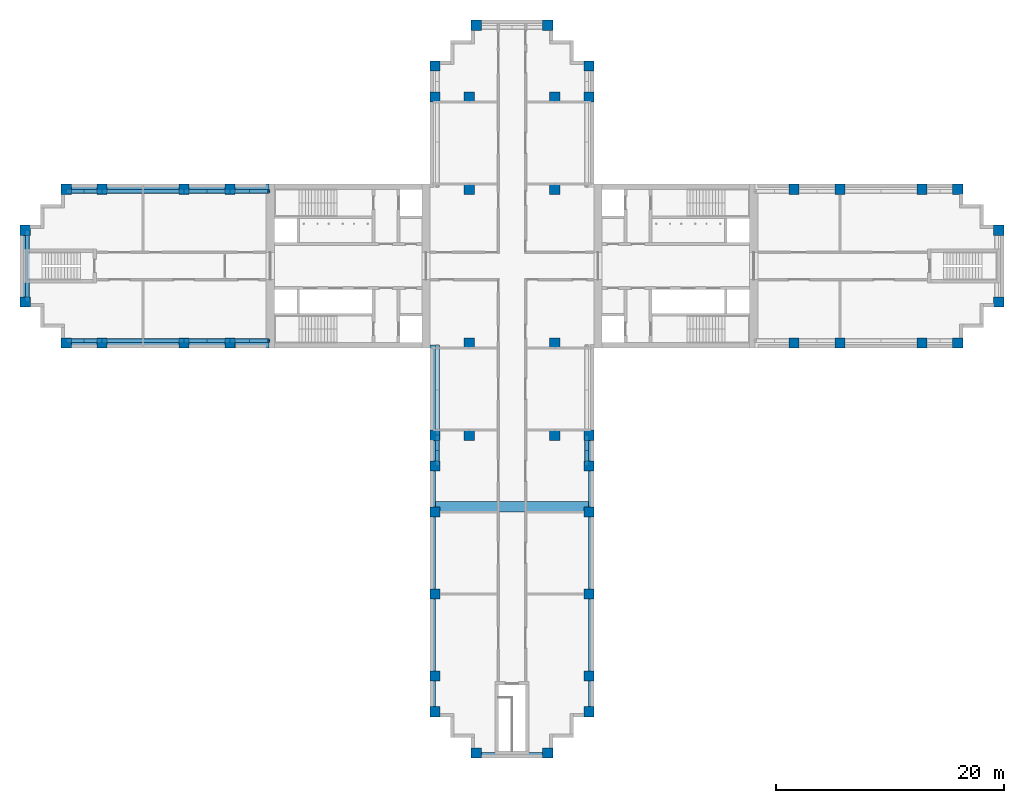
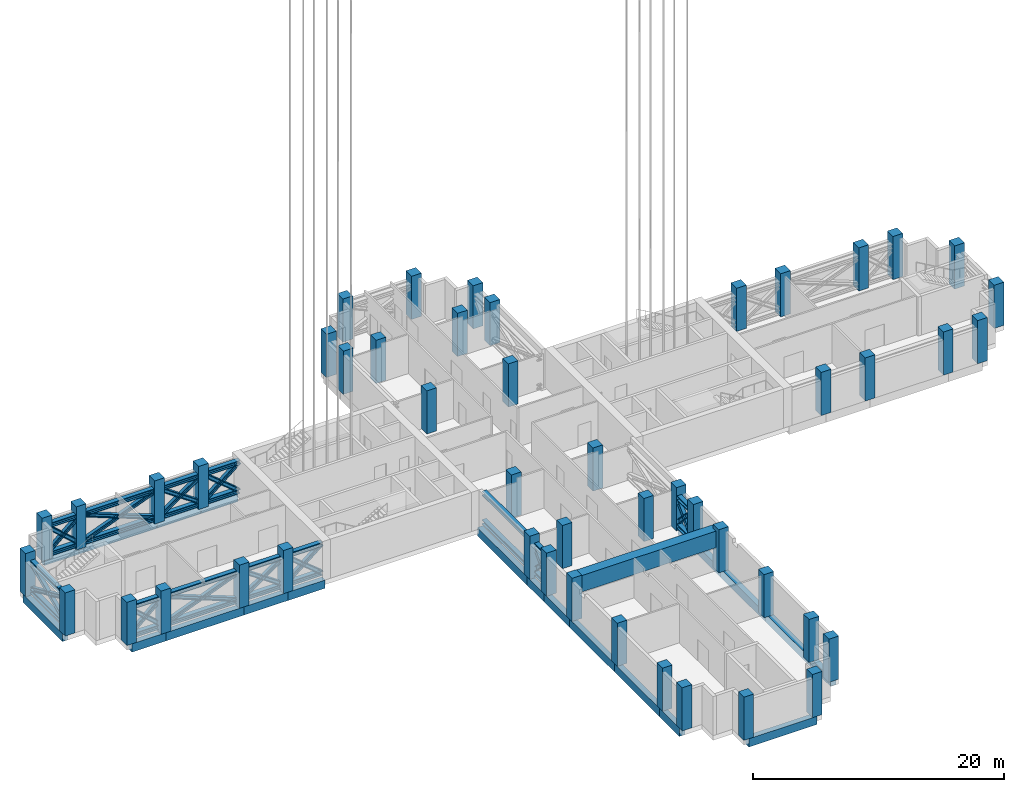
# One storey, part 1 of 22: 48 columns, 46 members, 22 beams.
"""IFC4 building model written with IfcOpenShell, lengths in metres."""

from ifc_helpers import new_model, si_unit, direction, frame, origin, origin_2d, place, context, subcontext, project, spatial, rectangle, i_section, extrude, material, material_profile, profile_set, type_object, element, save


model = new_model("IFC4")

# Units and contexts
model_context = context("Model", 3, precision=1e-05, world=origin(), true_north=direction((0.0, 1.0)))
body_context = subcontext(model_context, "Body", "Model", "MODEL_VIEW")
ifc_project = project(units=[si_unit("LENGTHUNIT", "METRE"), si_unit("AREAUNIT", "SQUARE_METRE"), si_unit("VOLUMEUNIT", "CUBIC_METRE"), si_unit("PLANEANGLEUNIT", "RADIAN"), si_unit("MASSUNIT", "GRAM", prefix="KILO")], contexts=[model_context])

# Site, building, storey
site_placement = place(None, origin())
site = spatial("IfcSite", under=ifc_project, at=site_placement, CompositionType="ELEMENT")
building_placement = place(site_placement, origin())
building = spatial("IfcBuilding", under=site, at=building_placement, Name="Fustian Cross Tower", CompositionType="ELEMENT")
storey_placement = place(building_placement, frame((0.0, 0.0, 111.89990234375)))
storey = spatial("IfcBuildingStorey", under=building, at=storey_placement, Name="L35", CompositionType="ELEMENT", Elevation=111.89990234375)

# Columns
ifc_material_1 = material(Name="Concrete C50/60", Category="concrete")
ifc_material_profile_1 = material_profile(ifc_material_1, rectangle(XDim=0.89990234375, YDim=0.89990234375, at=origin_2d()), Name="RC 900x900")
ifc_profile_set_1 = profile_set([ifc_material_profile_1], Name="Concrete C50/60")
column_type = type_object("IfcColumnType", Name="COLUMN RC 900x900 C50/60", PredefinedType="COLUMN", material=ifc_profile_set_1)
for number, where, z_axis, x_axis, name in (
    (1, (-42.75, -3.14990234375, 0.0), (0.0, 0.0, 1.0), (1.0, 0.0, 0.0), "COLUMN 001"),
    (2, (-42.75, 3.14990234375, 0.0), (0.0, 0.0, 1.0), (1.0, 0.0, 0.0), "COLUMN 002"),
    (3, (-39.14990234375, -6.75, 0.0), (0.0, 0.0, 1.0), (1.0, 0.0, 0.0), "COLUMN 003"),
    (4, (-39.14990234375, 6.75, 0.0), (0.0, 0.0, 1.0), (1.0, 0.0, 0.0), "COLUMN 004"),
    (5, (-36.0, -6.75, 0.0), (0.0, 0.0, 1.0), (1.0, 0.0, 0.0), "COLUMN 005"),
    (6, (-36.0, 6.75, 0.0), (0.0, 0.0, 1.0), (1.0, 0.0, 0.0), "COLUMN 006"),
    (7, (-28.800048828125, -6.75, 0.0), (0.0, 0.0, 1.0), (1.0, 0.0, 0.0), "COLUMN 007"),
    (8, (-28.800048828125, 6.75, 0.0), (0.0, 0.0, 1.0), (1.0, 0.0, 0.0), "COLUMN 010"),
    (9, (-24.75, -6.75, 0.0), (0.0, 0.0, 1.0), (1.0, 0.0, 0.0), "COLUMN 011"),
    (10, (-24.75, 6.75, 0.0), (0.0, 0.0, 1.0), (1.0, 0.0, 0.0), "COLUMN 012"),
    (11, (-6.75, -39.14990234375, 0.0), (0.0, 0.0, 1.0), (1.0, 0.0, 0.0), "COLUMN 013"),
    (12, (-6.75, -36.0, 0.0), (0.0, 0.0, 1.0), (1.0, 0.0, 0.0), "COLUMN 014"),
    (13, (-6.75, -28.800048828125, 0.0), (0.0, 0.0, 1.0), (1.0, 0.0, 0.0), "COLUMN 015"),
    (14, (-6.75, -21.60009765625, 0.0), (0.0, 0.0, 1.0), (1.0, 0.0, 0.0), "COLUMN 016"),
    (15, (-6.75, -17.550048828125, 0.0), (0.0, 0.0, 1.0), (1.0, 0.0, 0.0), "COLUMN 017"),
    (16, (-6.75, -14.85009765625, 0.0), (0.0, 0.0, 1.0), (1.0, 0.0, 0.0), "COLUMN 018"),
    (17, (-6.75, 14.85009765625, 0.0), (0.0, 0.0, 1.0), (1.0, 0.0, 0.0), "COLUMN 019"),
    (18, (-6.75, 17.550048828125, 0.0), (0.0, 0.0, 1.0), (1.0, 0.0, 0.0), "COLUMN 020"),
    (19, (-3.75, -14.85009765625, 0.0), (0.0, 0.0, 1.0), (1.0, 0.0, 0.0), "COLUMN 025"),
    (20, (-3.75, -6.75, 0.0), (0.0, 0.0, 1.0), (1.0, 0.0, 0.0), "COLUMN 026"),
    (21, (-3.75, 6.75, 0.0), (0.0, 0.0, 1.0), (1.0, 0.0, 0.0), "COLUMN 027"),
    (22, (-3.75, 14.85009765625, 0.0), (0.0, 0.0, 1.0), (1.0, 0.0, 0.0), "COLUMN 028"),
    (23, (-3.14990234375, -42.75, 0.0), (0.0, 0.0, 1.0), (1.0, 0.0, 0.0), "COLUMN 029"),
    (24, (-3.14990234375, 21.14990234375, 0.0), (0.0, 0.0, 1.0), (1.0, 0.0, 0.0), "COLUMN 031"),
    (25, (3.14990234375, -42.75, 0.0), (0.0, 0.0, 1.0), (1.0, 0.0, 0.0), "COLUMN 033"),
    (26, (3.14990234375, 21.14990234375, 0.0), (0.0, 0.0, 1.0), (1.0, 0.0, 0.0), "COLUMN 035"),
    (27, (3.75, -14.85009765625, 0.0), (0.0, 0.0, 1.0), (1.0, 0.0, 0.0), "COLUMN 037"),
    (28, (3.75, -6.75, 0.0), (0.0, 0.0, 1.0), (1.0, 0.0, 0.0), "COLUMN 038"),
    (29, (3.75, 6.75, 0.0), (0.0, 0.0, 1.0), (1.0, 0.0, 0.0), "COLUMN 039"),
    (30, (3.75, 14.85009765625, 0.0), (0.0, 0.0, 1.0), (1.0, 0.0, 0.0), "COLUMN 040"),
    (31, (6.75, -39.14990234375, 0.0), (0.0, 0.0, 1.0), (1.0, 0.0, 0.0), "COLUMN 041"),
    (32, (6.75, -36.0, 0.0), (0.0, 0.0, 1.0), (1.0, 0.0, 0.0), "COLUMN 042"),
    (33, (6.75, -28.800048828125, 0.0), (0.0, 0.0, 1.0), (1.0, 0.0, 0.0), "COLUMN 043"),
    (34, (6.75, -21.60009765625, 0.0), (0.0, 0.0, 1.0), (1.0, 0.0, 0.0), "COLUMN 044"),
    (35, (6.75, -17.550048828125, 0.0), (0.0, 0.0, 1.0), (1.0, 0.0, 0.0), "COLUMN 045"),
    (36, (6.75, -14.85009765625, 0.0), (0.0, 0.0, 1.0), (1.0, 0.0, 0.0), "COLUMN 046"),
    (37, (6.75, 14.85009765625, 0.0), (0.0, 0.0, 1.0), (1.0, 0.0, 0.0), "COLUMN 047"),
    (38, (6.75, 17.550048828125, 0.0), (0.0, 0.0, 1.0), (1.0, 0.0, 0.0), "COLUMN 048"),
    (39, (24.75, -6.75, 0.0), (0.0, 0.0, 1.0), (1.0, 0.0, 0.0), "COLUMN 053"),
    (40, (24.75, 6.75, 0.0), (0.0, 0.0, 1.0), (1.0, 0.0, 0.0), "COLUMN 054"),
    (41, (28.800048828125, -6.75, 0.0), (0.0, 0.0, 1.0), (1.0, 0.0, 0.0), "COLUMN 055"),
    (42, (28.800048828125, 6.75, 0.0), (0.0, 0.0, 1.0), (1.0, 0.0, 0.0), "COLUMN 058"),
    (43, (36.0, -6.75, 0.0), (0.0, 0.0, 1.0), (1.0, 0.0, 0.0), "COLUMN 059"),
    (44, (36.0, 6.75, 0.0), (0.0, 0.0, 1.0), (1.0, 0.0, 0.0), "COLUMN 060"),
    (45, (39.14990234375, -6.75, 0.0), (0.0, 0.0, 1.0), (1.0, 0.0, 0.0), "COLUMN 061"),
    (46, (39.14990234375, 6.75, 0.0), (0.0, 0.0, 1.0), (1.0, 0.0, 0.0), "COLUMN 062"),
    (47, (42.75, -3.14990234375, 0.0), (0.0, 0.0, 1.0), (1.0, 0.0, 0.0), "COLUMN 063"),
    (48, (42.75, 3.14990234375, 0.0), (0.0, 0.0, 1.0), (1.0, 0.0, 0.0), "COLUMN 064"),
):
    element("IfcColumn", number, at=place(storey_placement, frame(where, z_axis=z_axis, x_axis=x_axis)), inside=storey, type_object=column_type, Name=name, PredefinedType="COLUMN", context=body_context, shape_type="SweptSolid", body=[
        extrude(rectangle(XDim=0.89990234375, YDim=0.89990234375, at=origin_2d()), origin(), (0.0, 0.0, 1.0), 4.2001953125),
    ])

# Members
ifc_material_2 = material(Name="Steel S355", Category="steel")
ifc_material_profile_2 = material_profile(ifc_material_2, i_section(OverallWidth=0.322265625, OverallDepth=0.365234375, WebThickness=0.02685546875, FlangeThickness=0.044189453125, FilletRadius=0.01513671875, at=origin_2d()), Name="UC 305x305x283")
ifc_profile_set_2 = profile_set([ifc_material_profile_2], Name="Steel S355")
member_type_1 = type_object("IfcMemberType", Name="BELT TRUSS BRACE UC 305x305x283 S355", PredefinedType="BRACE", material=ifc_profile_set_2)
for number, where, z_axis, x_axis, name in (
    (49, (-21.35009765625, 6.570068359375, 0.400146484375), (-0.773957299203, 0.0, 0.633237790257), (0.0, -1.0, 0.0), "BELT TRUSS BRACE L35-15X"),
    (50, (-21.35009765625, 6.570068359375, 3.181884765625), (-0.773957299203, 0.0, -0.633237790257), (0.0, -1.0, 0.0), "BELT TRUSS BRACE L35-15Y"),
):
    element("IfcMember", number, at=place(storey_placement, frame(where, z_axis=z_axis, x_axis=x_axis)), inside=storey, type_object=member_type_1, Name=name, PredefinedType="BRACE", context=body_context, shape_type="SweptSolid", body=[
        extrude(i_section(OverallWidth=0.322265625, OverallDepth=0.365234375, WebThickness=0.02685546875, FlangeThickness=0.044189453125, FilletRadius=0.01513671875, at=origin_2d()), origin(), (0.0, 0.0, 1.0), 4.392822265625),
    ])
for number, where, z_axis, x_axis, name in (
    (51, (-24.75, 6.570068359375, 0.400146484375), (-0.824295560063, 0.0, 0.566159720981), (0.0, -1.0, 0.0), "BELT TRUSS BRACE L35-16X"),
    (52, (-24.75, 6.570068359375, 3.181884765625), (-0.824295560063, 0.0, -0.566159720981), (0.0, -1.0, 0.0), "BELT TRUSS BRACE L35-16Y"),
):
    element("IfcMember", number, at=place(storey_placement, frame(where, z_axis=z_axis, x_axis=x_axis)), inside=storey, type_object=member_type_1, Name=name, PredefinedType="BRACE", context=body_context, shape_type="SweptSolid", body=[
        extrude(i_section(OverallWidth=0.322265625, OverallDepth=0.365234375, WebThickness=0.02685546875, FlangeThickness=0.044189453125, FilletRadius=0.01513671875, at=origin_2d()), origin(), (0.0, 0.0, 1.0), 4.913330078125),
    ])
for number, where, z_axis, x_axis, name in (
    (53, (-28.800048828125, 6.570068359375, 0.400146484375), (-0.932800792723, 0.0, 0.360392398775), (0.0, -1.0, 0.0), "BELT TRUSS BRACE L35-17X"),
    (54, (-28.800048828125, 6.570068359375, 3.181884765625), (-0.932800792723, 0.0, -0.360392398775), (0.0, -1.0, 0.0), "BELT TRUSS BRACE L35-17Y"),
):
    element("IfcMember", number, at=place(storey_placement, frame(where, z_axis=z_axis, x_axis=x_axis)), inside=storey, type_object=member_type_1, Name=name, PredefinedType="BRACE", context=body_context, shape_type="SweptSolid", body=[
        extrude(i_section(OverallWidth=0.322265625, OverallDepth=0.365234375, WebThickness=0.02685546875, FlangeThickness=0.044189453125, FilletRadius=0.01513671875, at=origin_2d()), origin(), (0.0, 0.0, 1.0), 7.71875),
    ])
for number, where, z_axis, x_axis, name in (
    (55, (-36.0, 6.570068359375, 0.400146484375), (-0.749552957864, 0.0, 0.661944380864), (0.0, -1.0, 0.0), "BELT TRUSS BRACE L35-18X"),
    (56, (-36.0, 6.570068359375, 3.181884765625), (-0.749552957864, 0.0, -0.661944380864), (0.0, -1.0, 0.0), "BELT TRUSS BRACE L35-18Y"),
):
    element("IfcMember", number, at=place(storey_placement, frame(where, z_axis=z_axis, x_axis=x_axis)), inside=storey, type_object=member_type_1, Name=name, PredefinedType="BRACE", context=body_context, shape_type="SweptSolid", body=[
        extrude(i_section(OverallWidth=0.322265625, OverallDepth=0.365234375, WebThickness=0.02685546875, FlangeThickness=0.044189453125, FilletRadius=0.01513671875, at=origin_2d()), origin(), (0.0, 0.0, 1.0), 4.202392578125),
    ])
for number, where, z_axis, x_axis, name in (
    (57, (-42.570068359375, 3.14990234375, 0.400146484375), (0.0, -0.914788373585, 0.403933449412), (1.0, 0.0, 0.0), "BELT TRUSS BRACE L35-19X"),
    (58, (-42.570068359375, 3.14990234375, 3.181884765625), (0.0, -0.914788373585, -0.403933449412), (1.0, 0.0, 0.0), "BELT TRUSS BRACE L35-19Y"),
):
    element("IfcMember", number, at=place(storey_placement, frame(where, z_axis=z_axis, x_axis=x_axis)), inside=storey, type_object=member_type_1, Name=name, PredefinedType="BRACE", context=body_context, shape_type="SweptSolid", body=[
        extrude(i_section(OverallWidth=0.322265625, OverallDepth=0.365234375, WebThickness=0.02685546875, FlangeThickness=0.044189453125, FilletRadius=0.01513671875, at=origin_2d()), origin(), (0.0, 0.0, 1.0), 6.88671875),
    ])
for number, where, z_axis, x_axis, name in (
    (59, (-39.14990234375, -6.570068359375, 0.400146484375), (0.749552957864, 0.0, 0.661944380864), (0.0, 1.0, 0.0), "BELT TRUSS BRACE L35-20X"),
    (60, (-39.14990234375, -6.570068359375, 3.181884765625), (0.749552957864, 0.0, -0.661944380864), (0.0, 1.0, 0.0), "BELT TRUSS BRACE L35-20Y"),
):
    element("IfcMember", number, at=place(storey_placement, frame(where, z_axis=z_axis, x_axis=x_axis)), inside=storey, type_object=member_type_1, Name=name, PredefinedType="BRACE", context=body_context, shape_type="SweptSolid", body=[
        extrude(i_section(OverallWidth=0.322265625, OverallDepth=0.365234375, WebThickness=0.02685546875, FlangeThickness=0.044189453125, FilletRadius=0.01513671875, at=origin_2d()), origin(), (0.0, 0.0, 1.0), 4.202392578125),
    ])
for number, where, z_axis, x_axis, name in (
    (61, (-36.0, -6.570068359375, 0.400146484375), (0.932800792723, 0.0, 0.360392398775), (0.0, 1.0, 0.0), "BELT TRUSS BRACE L35-21X"),
    (62, (-36.0, -6.570068359375, 3.181884765625), (0.932800792723, 0.0, -0.360392398775), (0.0, 1.0, 0.0), "BELT TRUSS BRACE L35-21Y"),
):
    element("IfcMember", number, at=place(storey_placement, frame(where, z_axis=z_axis, x_axis=x_axis)), inside=storey, type_object=member_type_1, Name=name, PredefinedType="BRACE", context=body_context, shape_type="SweptSolid", body=[
        extrude(i_section(OverallWidth=0.322265625, OverallDepth=0.365234375, WebThickness=0.02685546875, FlangeThickness=0.044189453125, FilletRadius=0.01513671875, at=origin_2d()), origin(), (0.0, 0.0, 1.0), 7.71875),
    ])
for number, where, z_axis, x_axis, name in (
    (63, (-28.800048828125, -6.570068359375, 0.400146484375), (0.824295560063, 0.0, 0.566159720981), (0.0, 1.0, 0.0), "BELT TRUSS BRACE L35-22X"),
    (64, (-28.800048828125, -6.570068359375, 3.181884765625), (0.824295560063, 0.0, -0.566159720981), (0.0, 1.0, 0.0), "BELT TRUSS BRACE L35-22Y"),
):
    element("IfcMember", number, at=place(storey_placement, frame(where, z_axis=z_axis, x_axis=x_axis)), inside=storey, type_object=member_type_1, Name=name, PredefinedType="BRACE", context=body_context, shape_type="SweptSolid", body=[
        extrude(i_section(OverallWidth=0.322265625, OverallDepth=0.365234375, WebThickness=0.02685546875, FlangeThickness=0.044189453125, FilletRadius=0.01513671875, at=origin_2d()), origin(), (0.0, 0.0, 1.0), 4.913330078125),
    ])
for number, where, z_axis, x_axis, name in (
    (65, (-24.75, -6.570068359375, 0.400146484375), (0.773957299203, 0.0, 0.633237790257), (0.0, 1.0, 0.0), "BELT TRUSS BRACE L35-23X"),
    (66, (-24.75, -6.570068359375, 3.181884765625), (0.773957299203, 0.0, -0.633237790257), (0.0, 1.0, 0.0), "BELT TRUSS BRACE L35-23Y"),
):
    element("IfcMember", number, at=place(storey_placement, frame(where, z_axis=z_axis, x_axis=x_axis)), inside=storey, type_object=member_type_1, Name=name, PredefinedType="BRACE", context=body_context, shape_type="SweptSolid", body=[
        extrude(i_section(OverallWidth=0.322265625, OverallDepth=0.365234375, WebThickness=0.02685546875, FlangeThickness=0.044189453125, FilletRadius=0.01513671875, at=origin_2d()), origin(), (0.0, 0.0, 1.0), 4.392822265625),
    ])
for number, where, z_axis, x_axis, name in (
    (67, (-6.570068359375, -14.85009765625, 0.400146484375), (0.0, -0.696479192337, 0.717576988651), (1.0, 0.0, 0.0), "BELT TRUSS BRACE L35-25X"),
    (68, (-6.570068359375, -14.85009765625, 3.181884765625), (0.0, -0.696479192337, -0.717576988651), (1.0, 0.0, 0.0), "BELT TRUSS BRACE L35-25Y"),
    (69, (6.570068359375, -17.550048828125, 0.400146484375), (0.0, 0.696479192337, 0.717576988651), (-1.0, 0.0, 0.0), "BELT TRUSS BRACE L35-26X"),
    (70, (6.570068359375, -17.550048828125, 3.181884765625), (0.0, 0.696479192337, -0.717576988651), (-1.0, 0.0, 0.0), "BELT TRUSS BRACE L35-26Y"),
):
    element("IfcMember", number, at=place(storey_placement, frame(where, z_axis=z_axis, x_axis=x_axis)), inside=storey, type_object=member_type_1, Name=name, PredefinedType="BRACE", context=body_context, shape_type="SweptSolid", body=[
        extrude(i_section(OverallWidth=0.322265625, OverallDepth=0.365234375, WebThickness=0.02685546875, FlangeThickness=0.044189453125, FilletRadius=0.01513671875, at=origin_2d()), origin(), (0.0, 0.0, 1.0), 3.87646484375),
    ])
ifc_material_3 = material(Name="Steel S355", Category="steel")
ifc_material_profile_3 = material_profile(ifc_material_3, i_section(OverallWidth=0.412109375, OverallDepth=0.4365234375, WebThickness=0.035888671875, FlangeThickness=0.05810546875, FilletRadius=0.01513671875, at=origin_2d()), Name="UC 356x406x467")
ifc_profile_set_3 = profile_set([ifc_material_profile_3], Name="Steel S355")
member_type_2 = type_object("IfcMemberType", Name="BELT TRUSS CHORD UC 356x406x467 S355", PredefinedType="CHORD", material=ifc_profile_set_3)
for number, where, z_axis, x_axis, name in (
    (71, (-21.35009765625, 6.570068359375, 3.181884765625), (-1.0, 0.0, 0.0), (0.0, -1.0, 0.0), "BELT TRUSS CHORD L35-15"),
    (72, (-21.35009765625, 6.570068359375, 0.400146484375), (-1.0, 0.0, 0.0), (0.0, -1.0, 0.0), "BELT TRUSS CHORD L35-15"),
):
    element("IfcMember", number, at=place(storey_placement, frame(where, z_axis=z_axis, x_axis=x_axis)), inside=storey, type_object=member_type_2, Name=name, PredefinedType="CHORD", context=body_context, shape_type="SweptSolid", body=[
        extrude(i_section(OverallWidth=0.412109375, OverallDepth=0.4365234375, WebThickness=0.035888671875, FlangeThickness=0.05810546875, FilletRadius=0.01513671875, at=origin_2d()), origin(), (0.0, 0.0, 1.0), 3.39990234375),
    ])
for number, where, z_axis, x_axis, name in (
    (73, (-24.75, 6.570068359375, 3.181884765625), (-1.0, 0.0, 0.0), (0.0, -1.0, 0.0), "BELT TRUSS CHORD L35-16"),
    (74, (-24.75, 6.570068359375, 0.400146484375), (-1.0, 0.0, 0.0), (0.0, -1.0, 0.0), "BELT TRUSS CHORD L35-16"),
):
    element("IfcMember", number, at=place(storey_placement, frame(where, z_axis=z_axis, x_axis=x_axis)), inside=storey, type_object=member_type_2, Name=name, PredefinedType="CHORD", context=body_context, shape_type="SweptSolid", body=[
        extrude(i_section(OverallWidth=0.412109375, OverallDepth=0.4365234375, WebThickness=0.035888671875, FlangeThickness=0.05810546875, FilletRadius=0.01513671875, at=origin_2d()), origin(), (0.0, 0.0, 1.0), 4.050048828125),
    ])
for number, where, z_axis, x_axis, name in (
    (75, (-28.800048828125, 6.570068359375, 3.181884765625), (-1.0, 0.0, 0.0), (0.0, -1.0, 0.0), "BELT TRUSS CHORD L35-17"),
    (76, (-28.800048828125, 6.570068359375, 0.400146484375), (-1.0, 0.0, 0.0), (0.0, -1.0, 0.0), "BELT TRUSS CHORD L35-17"),
):
    element("IfcMember", number, at=place(storey_placement, frame(where, z_axis=z_axis, x_axis=x_axis)), inside=storey, type_object=member_type_2, Name=name, PredefinedType="CHORD", context=body_context, shape_type="SweptSolid", body=[
        extrude(i_section(OverallWidth=0.412109375, OverallDepth=0.4365234375, WebThickness=0.035888671875, FlangeThickness=0.05810546875, FilletRadius=0.01513671875, at=origin_2d()), origin(), (0.0, 0.0, 1.0), 7.199951171875),
    ])
for number, where, z_axis, x_axis, name in (
    (77, (-36.0, 6.570068359375, 3.181884765625), (-1.0, 0.0, 0.0), (0.0, -1.0, 0.0), "BELT TRUSS CHORD L35-18"),
    (78, (-36.0, 6.570068359375, 0.400146484375), (-1.0, 0.0, 0.0), (0.0, -1.0, 0.0), "BELT TRUSS CHORD L35-18"),
):
    element("IfcMember", number, at=place(storey_placement, frame(where, z_axis=z_axis, x_axis=x_axis)), inside=storey, type_object=member_type_2, Name=name, PredefinedType="CHORD", context=body_context, shape_type="SweptSolid", body=[
        extrude(i_section(OverallWidth=0.412109375, OverallDepth=0.4365234375, WebThickness=0.035888671875, FlangeThickness=0.05810546875, FilletRadius=0.01513671875, at=origin_2d()), origin(), (0.0, 0.0, 1.0), 3.14990234375),
    ])
for number, where, z_axis, x_axis, name in (
    (79, (-42.570068359375, 3.14990234375, 3.181884765625), (0.0, -1.0, 0.0), (1.0, 0.0, 0.0), "BELT TRUSS CHORD L35-19"),
    (80, (-42.570068359375, 3.14990234375, 0.400146484375), (0.0, -1.0, 0.0), (1.0, 0.0, 0.0), "BELT TRUSS CHORD L35-19"),
):
    element("IfcMember", number, at=place(storey_placement, frame(where, z_axis=z_axis, x_axis=x_axis)), inside=storey, type_object=member_type_2, Name=name, PredefinedType="CHORD", context=body_context, shape_type="SweptSolid", body=[
        extrude(i_section(OverallWidth=0.412109375, OverallDepth=0.4365234375, WebThickness=0.035888671875, FlangeThickness=0.05810546875, FilletRadius=0.01513671875, at=origin_2d()), origin(), (0.0, 0.0, 1.0), 6.2998046875),
    ])
for number, where, z_axis, x_axis, name in (
    (81, (-39.14990234375, -6.570068359375, 3.181884765625), (1.0, 0.0, 0.0), (0.0, 1.0, 0.0), "BELT TRUSS CHORD L35-20"),
    (82, (-39.14990234375, -6.570068359375, 0.400146484375), (1.0, 0.0, 0.0), (0.0, 1.0, 0.0), "BELT TRUSS CHORD L35-20"),
):
    element("IfcMember", number, at=place(storey_placement, frame(where, z_axis=z_axis, x_axis=x_axis)), inside=storey, type_object=member_type_2, Name=name, PredefinedType="CHORD", context=body_context, shape_type="SweptSolid", body=[
        extrude(i_section(OverallWidth=0.412109375, OverallDepth=0.4365234375, WebThickness=0.035888671875, FlangeThickness=0.05810546875, FilletRadius=0.01513671875, at=origin_2d()), origin(), (0.0, 0.0, 1.0), 3.14990234375),
    ])
for number, where, z_axis, x_axis, name in (
    (83, (-36.0, -6.570068359375, 3.181884765625), (1.0, 0.0, 0.0), (0.0, 1.0, 0.0), "BELT TRUSS CHORD L35-21"),
    (84, (-36.0, -6.570068359375, 0.400146484375), (1.0, 0.0, 0.0), (0.0, 1.0, 0.0), "BELT TRUSS CHORD L35-21"),
):
    element("IfcMember", number, at=place(storey_placement, frame(where, z_axis=z_axis, x_axis=x_axis)), inside=storey, type_object=member_type_2, Name=name, PredefinedType="CHORD", context=body_context, shape_type="SweptSolid", body=[
        extrude(i_section(OverallWidth=0.412109375, OverallDepth=0.4365234375, WebThickness=0.035888671875, FlangeThickness=0.05810546875, FilletRadius=0.01513671875, at=origin_2d()), origin(), (0.0, 0.0, 1.0), 7.199951171875),
    ])
for number, where, z_axis, x_axis, name in (
    (85, (-28.800048828125, -6.570068359375, 3.181884765625), (1.0, 0.0, 0.0), (0.0, 1.0, 0.0), "BELT TRUSS CHORD L35-22"),
    (86, (-28.800048828125, -6.570068359375, 0.400146484375), (1.0, 0.0, 0.0), (0.0, 1.0, 0.0), "BELT TRUSS CHORD L35-22"),
):
    element("IfcMember", number, at=place(storey_placement, frame(where, z_axis=z_axis, x_axis=x_axis)), inside=storey, type_object=member_type_2, Name=name, PredefinedType="CHORD", context=body_context, shape_type="SweptSolid", body=[
        extrude(i_section(OverallWidth=0.412109375, OverallDepth=0.4365234375, WebThickness=0.035888671875, FlangeThickness=0.05810546875, FilletRadius=0.01513671875, at=origin_2d()), origin(), (0.0, 0.0, 1.0), 4.050048828125),
    ])
for number, where, z_axis, x_axis, name in (
    (87, (-24.75, -6.570068359375, 3.181884765625), (1.0, 0.0, 0.0), (0.0, 1.0, 0.0), "BELT TRUSS CHORD L35-23"),
    (88, (-24.75, -6.570068359375, 0.400146484375), (1.0, 0.0, 0.0), (0.0, 1.0, 0.0), "BELT TRUSS CHORD L35-23"),
):
    element("IfcMember", number, at=place(storey_placement, frame(where, z_axis=z_axis, x_axis=x_axis)), inside=storey, type_object=member_type_2, Name=name, PredefinedType="CHORD", context=body_context, shape_type="SweptSolid", body=[
        extrude(i_section(OverallWidth=0.412109375, OverallDepth=0.4365234375, WebThickness=0.035888671875, FlangeThickness=0.05810546875, FilletRadius=0.01513671875, at=origin_2d()), origin(), (0.0, 0.0, 1.0), 3.39990234375),
    ])
for number, where, z_axis, x_axis, name in (
    (89, (-6.570068359375, -6.949951171875, 3.181884765625), (0.0, -1.0, 0.0), (1.0, 0.0, 0.0), "BELT TRUSS CHORD L35-24"),
    (90, (-6.570068359375, -6.949951171875, 0.400146484375), (0.0, -1.0, 0.0), (1.0, 0.0, 0.0), "BELT TRUSS CHORD L35-24"),
):
    element("IfcMember", number, at=place(storey_placement, frame(where, z_axis=z_axis, x_axis=x_axis)), inside=storey, type_object=member_type_2, Name=name, PredefinedType="CHORD", context=body_context, shape_type="SweptSolid", body=[
        extrude(i_section(OverallWidth=0.412109375, OverallDepth=0.4365234375, WebThickness=0.035888671875, FlangeThickness=0.05810546875, FilletRadius=0.01513671875, at=origin_2d()), origin(), (0.0, 0.0, 1.0), 7.900146484375),
    ])
for number, where, z_axis, x_axis, name in (
    (91, (-6.570068359375, -14.85009765625, 3.181884765625), (0.0, -1.0, 0.0), (1.0, 0.0, 0.0), "BELT TRUSS CHORD L35-25"),
    (92, (-6.570068359375, -14.85009765625, 0.400146484375), (0.0, -1.0, 0.0), (1.0, 0.0, 0.0), "BELT TRUSS CHORD L35-25"),
    (93, (6.570068359375, -17.550048828125, 3.181884765625), (0.0, 1.0, 0.0), (-1.0, 0.0, 0.0), "BELT TRUSS CHORD L35-26"),
    (94, (6.570068359375, -17.550048828125, 0.400146484375), (0.0, 1.0, 0.0), (-1.0, 0.0, 0.0), "BELT TRUSS CHORD L35-26"),
):
    element("IfcMember", number, at=place(storey_placement, frame(where, z_axis=z_axis, x_axis=x_axis)), inside=storey, type_object=member_type_2, Name=name, PredefinedType="CHORD", context=body_context, shape_type="SweptSolid", body=[
        extrude(i_section(OverallWidth=0.412109375, OverallDepth=0.4365234375, WebThickness=0.035888671875, FlangeThickness=0.05810546875, FilletRadius=0.01513671875, at=origin_2d()), origin(), (0.0, 0.0, 1.0), 2.699951171875),
    ])

# Beams
ifc_material_4 = material(Name="Concrete C50/60", Category="concrete")
ifc_material_profile_4 = material_profile(ifc_material_4, rectangle(XDim=0.5, YDim=0.800048828125, at=origin_2d()), Name="RC 500x800")
ifc_profile_set_4 = profile_set([ifc_material_profile_4], Name="Concrete C50/60")
beam_type_1 = type_object("IfcBeamType", Name="EDGE BEAM RC 500x800 C50/60", PredefinedType="SPANDREL", material=ifc_profile_set_4)
beam_1_placement = place(storey_placement, frame((-21.35009765625, 6.949951171875, -0.39990234375), z_axis=(-1.0, 0.0, 0.0), x_axis=(0.0, -1.0, 0.0)))
element("IfcBeam", 95, at=beam_1_placement, inside=storey, type_object=beam_type_1, Name="EDGE BEAM L35-15", PredefinedType="SPANDREL", context=body_context, shape_type="SweptSolid", body=[
    extrude(rectangle(XDim=0.5, YDim=0.800048828125, at=origin_2d()), origin(), (0.0, 0.0, 1.0), 3.39990234375),
])
beam_2_placement = place(storey_placement, frame((-24.75, 6.949951171875, -0.39990234375), z_axis=(-1.0, 0.0, 0.0), x_axis=(0.0, -1.0, 0.0)))
element("IfcBeam", 96, at=beam_2_placement, inside=storey, type_object=beam_type_1, Name="EDGE BEAM L35-16", PredefinedType="SPANDREL", context=body_context, shape_type="SweptSolid", body=[
    extrude(rectangle(XDim=0.5, YDim=0.800048828125, at=origin_2d()), origin(), (0.0, 0.0, 1.0), 4.050048828125),
])
beam_3_placement = place(storey_placement, frame((-28.800048828125, 6.949951171875, -0.39990234375), z_axis=(-1.0, 0.0, 0.0), x_axis=(0.0, -1.0, 0.0)))
element("IfcBeam", 97, at=beam_3_placement, inside=storey, type_object=beam_type_1, Name="EDGE BEAM L35-17", PredefinedType="SPANDREL", context=body_context, shape_type="SweptSolid", body=[
    extrude(rectangle(XDim=0.5, YDim=0.800048828125, at=origin_2d()), origin(), (0.0, 0.0, 1.0), 7.199951171875),
])
beam_4_placement = place(storey_placement, frame((-36.0, 6.949951171875, -0.39990234375), z_axis=(-1.0, 0.0, 0.0), x_axis=(0.0, -1.0, 0.0)))
element("IfcBeam", 98, at=beam_4_placement, inside=storey, type_object=beam_type_1, Name="EDGE BEAM L35-18", PredefinedType="SPANDREL", context=body_context, shape_type="SweptSolid", body=[
    extrude(rectangle(XDim=0.5, YDim=0.800048828125, at=origin_2d()), origin(), (0.0, 0.0, 1.0), 3.14990234375),
])
beam_5_placement = place(storey_placement, frame((-42.949951171875, 3.14990234375, -0.39990234375), z_axis=(0.0, -1.0, 0.0), x_axis=(1.0, 0.0, 0.0)))
element("IfcBeam", 99, at=beam_5_placement, inside=storey, type_object=beam_type_1, Name="EDGE BEAM L35-19", PredefinedType="SPANDREL", context=body_context, shape_type="SweptSolid", body=[
    extrude(rectangle(XDim=0.5, YDim=0.800048828125, at=origin_2d()), origin(), (0.0, 0.0, 1.0), 6.2998046875),
])
beam_6_placement = place(storey_placement, frame((-39.14990234375, -6.949951171875, -0.39990234375), z_axis=(1.0, 0.0, 0.0), x_axis=(0.0, 1.0, 0.0)))
element("IfcBeam", 100, at=beam_6_placement, inside=storey, type_object=beam_type_1, Name="EDGE BEAM L35-20", PredefinedType="SPANDREL", context=body_context, shape_type="SweptSolid", body=[
    extrude(rectangle(XDim=0.5, YDim=0.800048828125, at=origin_2d()), origin(), (0.0, 0.0, 1.0), 3.14990234375),
])
beam_7_placement = place(storey_placement, frame((-36.0, -6.949951171875, -0.39990234375), z_axis=(1.0, 0.0, 0.0), x_axis=(0.0, 1.0, 0.0)))
element("IfcBeam", 101, at=beam_7_placement, inside=storey, type_object=beam_type_1, Name="EDGE BEAM L35-21", PredefinedType="SPANDREL", context=body_context, shape_type="SweptSolid", body=[
    extrude(rectangle(XDim=0.5, YDim=0.800048828125, at=origin_2d()), origin(), (0.0, 0.0, 1.0), 7.199951171875),
])
beam_8_placement = place(storey_placement, frame((-28.800048828125, -6.949951171875, -0.39990234375), z_axis=(1.0, 0.0, 0.0), x_axis=(0.0, 1.0, 0.0)))
element("IfcBeam", 102, at=beam_8_placement, inside=storey, type_object=beam_type_1, Name="EDGE BEAM L35-22", PredefinedType="SPANDREL", context=body_context, shape_type="SweptSolid", body=[
    extrude(rectangle(XDim=0.5, YDim=0.800048828125, at=origin_2d()), origin(), (0.0, 0.0, 1.0), 4.050048828125),
])
beam_9_placement = place(storey_placement, frame((-24.75, -6.949951171875, -0.39990234375), z_axis=(1.0, 0.0, 0.0), x_axis=(0.0, 1.0, 0.0)))
element("IfcBeam", 103, at=beam_9_placement, inside=storey, type_object=beam_type_1, Name="EDGE BEAM L35-23", PredefinedType="SPANDREL", context=body_context, shape_type="SweptSolid", body=[
    extrude(rectangle(XDim=0.5, YDim=0.800048828125, at=origin_2d()), origin(), (0.0, 0.0, 1.0), 3.39990234375),
])
beam_10_placement = place(storey_placement, frame((-6.949951171875, -6.949951171875, -0.39990234375), z_axis=(0.0, -1.0, 0.0), x_axis=(1.0, 0.0, 0.0)))
element("IfcBeam", 104, at=beam_10_placement, inside=storey, type_object=beam_type_1, Name="EDGE BEAM L35-24", PredefinedType="SPANDREL", context=body_context, shape_type="SweptSolid", body=[
    extrude(rectangle(XDim=0.5, YDim=0.800048828125, at=origin_2d()), origin(), (0.0, 0.0, 1.0), 7.900146484375),
])
beam_11_placement = place(storey_placement, frame((-6.949951171875, -14.85009765625, -0.39990234375), z_axis=(0.0, -1.0, 0.0), x_axis=(1.0, 0.0, 0.0)))
element("IfcBeam", 105, at=beam_11_placement, inside=storey, type_object=beam_type_1, Name="EDGE BEAM L35-25", PredefinedType="SPANDREL", context=body_context, shape_type="SweptSolid", body=[
    extrude(rectangle(XDim=0.5, YDim=0.800048828125, at=origin_2d()), origin(), (0.0, 0.0, 1.0), 2.699951171875),
])
beam_12_placement = place(storey_placement, frame((-6.949951171875, -17.550048828125, -0.39990234375), z_axis=(0.0, -1.0, 0.0), x_axis=(1.0, 0.0, 0.0)))
element("IfcBeam", 106, at=beam_12_placement, inside=storey, type_object=beam_type_1, Name="EDGE BEAM L35-26", PredefinedType="SPANDREL", context=body_context, shape_type="SweptSolid", body=[
    extrude(rectangle(XDim=0.5, YDim=0.800048828125, at=origin_2d()), origin(), (0.0, 0.0, 1.0), 4.050048828125),
])
for number, where, z_axis, x_axis, name in (
    (107, (-6.949951171875, -21.60009765625, -0.39990234375), (0.0, -1.0, 0.0), (1.0, 0.0, 0.0), "EDGE BEAM L35-27"),
    (108, (-6.949951171875, -28.800048828125, -0.39990234375), (0.0, -1.0, 0.0), (1.0, 0.0, 0.0), "EDGE BEAM L35-28"),
):
    element("IfcBeam", number, at=place(storey_placement, frame(where, z_axis=z_axis, x_axis=x_axis)), inside=storey, type_object=beam_type_1, Name=name, PredefinedType="SPANDREL", context=body_context, shape_type="SweptSolid", body=[
        extrude(rectangle(XDim=0.5, YDim=0.800048828125, at=origin_2d()), origin(), (0.0, 0.0, 1.0), 7.199951171875),
    ])
beam_13_placement = place(storey_placement, frame((-6.949951171875, -36.0, -0.39990234375), z_axis=(0.0, -1.0, 0.0), x_axis=(1.0, 0.0, 0.0)))
element("IfcBeam", 109, at=beam_13_placement, inside=storey, type_object=beam_type_1, Name="EDGE BEAM L35-29", PredefinedType="SPANDREL", context=body_context, shape_type="SweptSolid", body=[
    extrude(rectangle(XDim=0.5, YDim=0.800048828125, at=origin_2d()), origin(), (0.0, 0.0, 1.0), 3.14990234375),
])
beam_14_placement = place(storey_placement, frame((-3.14990234375, -42.949951171875, -0.39990234375), z_axis=(1.0, 0.0, 0.0), x_axis=(0.0, 1.0, 0.0)))
element("IfcBeam", 110, at=beam_14_placement, inside=storey, type_object=beam_type_1, Name="EDGE BEAM L35-30", PredefinedType="SPANDREL", context=body_context, shape_type="SweptSolid", body=[
    extrude(rectangle(XDim=0.5, YDim=0.800048828125, at=origin_2d()), origin(), (0.0, 0.0, 1.0), 6.2998046875),
])
beam_15_placement = place(storey_placement, frame((6.949951171875, -39.14990234375, -0.39990234375), z_axis=(0.0, 1.0, 0.0), x_axis=(-1.0, 0.0, 0.0)))
element("IfcBeam", 111, at=beam_15_placement, inside=storey, type_object=beam_type_1, Name="EDGE BEAM L35-31", PredefinedType="SPANDREL", context=body_context, shape_type="SweptSolid", body=[
    extrude(rectangle(XDim=0.5, YDim=0.800048828125, at=origin_2d()), origin(), (0.0, 0.0, 1.0), 3.14990234375),
])
for number, where, z_axis, x_axis, name in (
    (112, (6.949951171875, -36.0, -0.39990234375), (0.0, 1.0, 0.0), (-1.0, 0.0, 0.0), "EDGE BEAM L35-32"),
    (113, (6.949951171875, -28.800048828125, -0.39990234375), (0.0, 1.0, 0.0), (-1.0, 0.0, 0.0), "EDGE BEAM L35-33"),
):
    element("IfcBeam", number, at=place(storey_placement, frame(where, z_axis=z_axis, x_axis=x_axis)), inside=storey, type_object=beam_type_1, Name=name, PredefinedType="SPANDREL", context=body_context, shape_type="SweptSolid", body=[
        extrude(rectangle(XDim=0.5, YDim=0.800048828125, at=origin_2d()), origin(), (0.0, 0.0, 1.0), 7.199951171875),
    ])
beam_16_placement = place(storey_placement, frame((6.949951171875, -21.60009765625, -0.39990234375), z_axis=(0.0, 1.0, 0.0), x_axis=(-1.0, 0.0, 0.0)))
element("IfcBeam", 114, at=beam_16_placement, inside=storey, type_object=beam_type_1, Name="EDGE BEAM L35-34", PredefinedType="SPANDREL", context=body_context, shape_type="SweptSolid", body=[
    extrude(rectangle(XDim=0.5, YDim=0.800048828125, at=origin_2d()), origin(), (0.0, 0.0, 1.0), 4.050048828125),
])
beam_17_placement = place(storey_placement, frame((6.949951171875, -17.550048828125, -0.39990234375), z_axis=(0.0, 1.0, 0.0), x_axis=(-1.0, 0.0, 0.0)))
element("IfcBeam", 115, at=beam_17_placement, inside=storey, type_object=beam_type_1, Name="EDGE BEAM L35-35", PredefinedType="SPANDREL", context=body_context, shape_type="SweptSolid", body=[
    extrude(rectangle(XDim=0.5, YDim=0.800048828125, at=origin_2d()), origin(), (0.0, 0.0, 1.0), 2.699951171875),
])
ifc_material_5 = material(Name="Concrete C60/75", Category="concrete")
ifc_material_profile_5 = material_profile(ifc_material_5, rectangle(XDim=0.89990234375, YDim=1.60009765625, at=origin_2d()), Name="RC 900x1600")
ifc_profile_set_5 = profile_set([ifc_material_profile_5], Name="Concrete C60/75")
beam_type_2 = type_object("IfcBeamType", Name="TRANSFER GIRDER RC 900x1600 C60/75", PredefinedType="BEAM", material=ifc_profile_set_5)
beam_18_placement = place(storey_placement, frame((-6.75, -21.14990234375, 3.0), z_axis=(1.0, 0.0, 0.0), x_axis=(0.0, 1.0, 0.0)))
element("IfcBeam", 116, at=beam_18_placement, inside=storey, type_object=beam_type_2, Name="TRANSFER GIRDER L35", PredefinedType="BEAM", context=body_context, shape_type="SweptSolid", body=[
    extrude(rectangle(XDim=0.89990234375, YDim=1.60009765625, at=origin_2d()), origin(), (0.0, 0.0, 1.0), 13.5),
])

save(model, "model.ifc")
